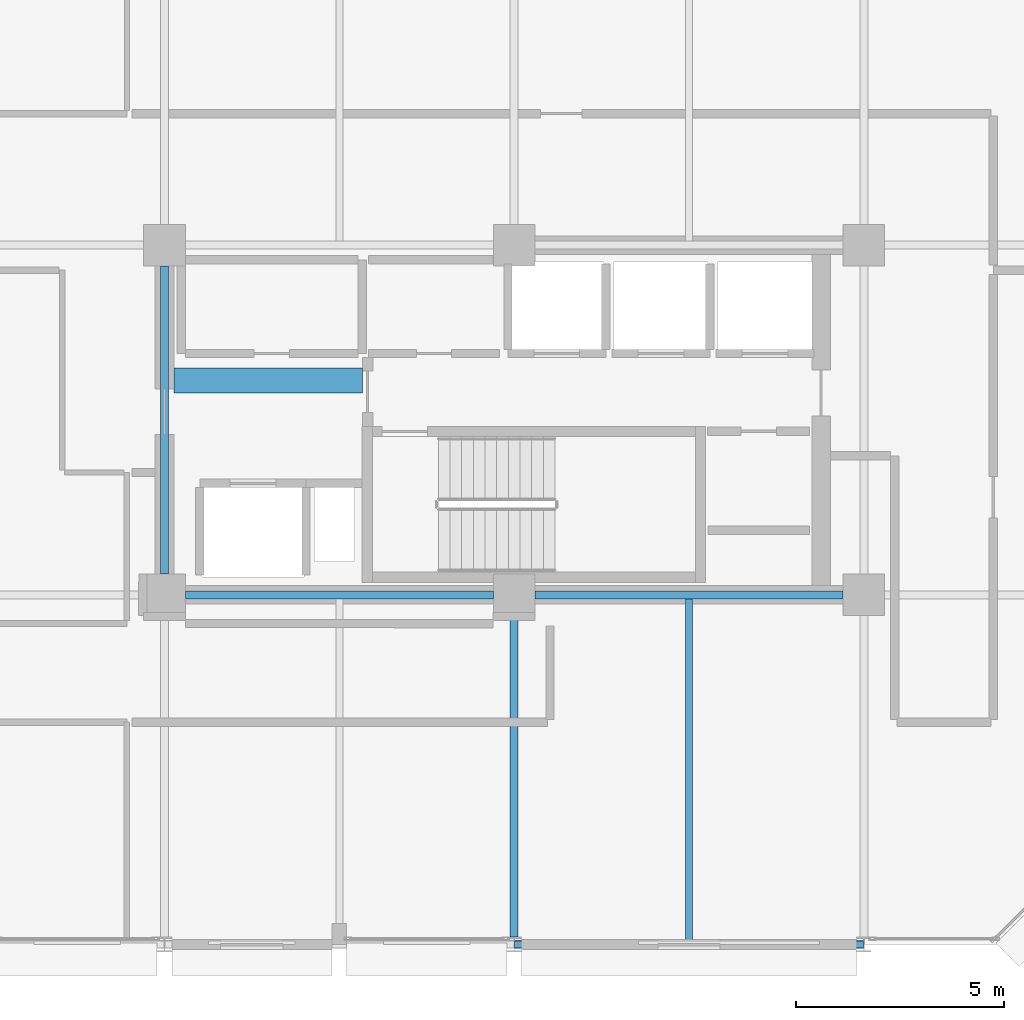
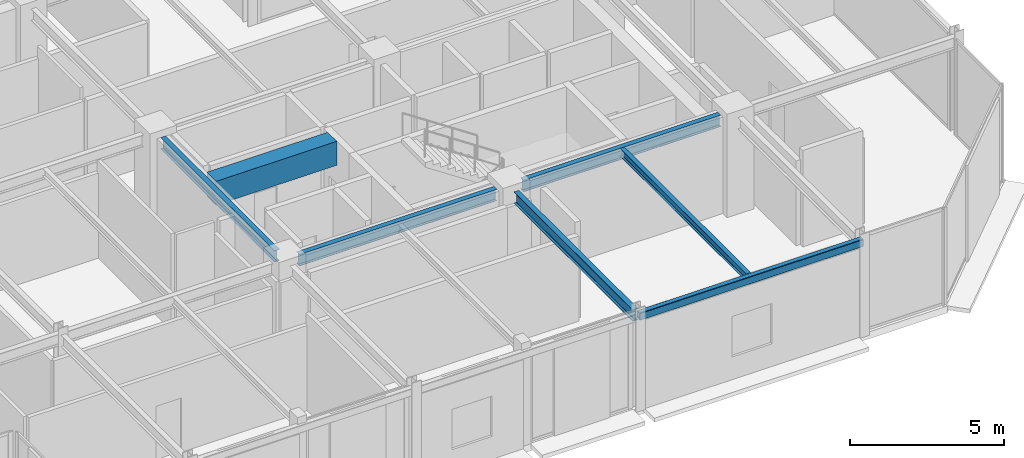
# One storey, part 7 of 26: 7 beams.
"""IFC4 building model written with IfcOpenShell, lengths in metres."""

from ifc_helpers import new_model, si_unit, direction, frame, origin, origin_2d, place, context, subcontext, project, spatial, rectangle, hollow_rectangle, i_section, extrude, material, material_profile, profile_set, type_object, element, save


model = new_model("IFC4")

# Units and contexts
model_context = context("Model", 3, precision=1e-05, world=origin(), true_north=direction((0.0, 1.0)))
body_context = subcontext(model_context, "Body", "Model", "MODEL_VIEW")
ifc_project = project(units=[si_unit("LENGTHUNIT", "METRE"), si_unit("AREAUNIT", "SQUARE_METRE"), si_unit("VOLUMEUNIT", "CUBIC_METRE"), si_unit("PLANEANGLEUNIT", "RADIAN"), si_unit("MASSUNIT", "GRAM", prefix="KILO")], contexts=[model_context])

# Site, building, storey
site_placement = place(None, origin())
site = spatial("IfcSite", under=ifc_project, at=site_placement, CompositionType="ELEMENT")
building_placement = place(site_placement, origin())
building = spatial("IfcBuilding", under=site, at=building_placement, Name="Nerrivon Quay Data Exchange", CompositionType="ELEMENT")
storey_placement = place(building_placement, frame((0.0, 0.0, 228.800048828125)))
storey = spatial("IfcBuildingStorey", under=building, at=storey_placement, Name="L54", CompositionType="ELEMENT", Elevation=228.800048828125)

# Beams
ifc_material_1 = material(Name="Concrete N50 (50 MPa)", Category="concrete")
ifc_material_profile_1 = material_profile(ifc_material_1, rectangle(XDim=0.60009765625, YDim=0.949951171875, at=origin_2d()), Name="RC-CB-600x950")
ifc_profile_set_1 = profile_set([ifc_material_profile_1], Name="Concrete N50 (50 MPa)")
beam_type_1 = type_object("IfcBeamType", Name="BM-CB2-600x950", PredefinedType="LINTEL", material=ifc_profile_set_1)
beam_1_placement = place(storey_placement, frame((17.02490234375, 13.550048828125, 3.349853515625), z_axis=(1.0, 0.0, 0.0), x_axis=(0.0, 1.0, 0.0)))
element("IfcBeam", 1, at=beam_1_placement, inside=storey, type_object=beam_type_1, Name="L54 East Core Coupling Beam", PredefinedType="LINTEL", context=body_context, shape_type="SweptSolid", body=[
    extrude(rectangle(XDim=0.60009765625, YDim=0.949951171875, at=origin_2d()), origin(), (0.0, 0.0, 1.0), 4.530029296875),
])
ifc_material_2 = material(Name="Steel Grade 350", Category="steel")
ifc_material_profile_2 = material_profile(ifc_material_2, i_section(OverallWidth=0.19091796875, OverallDepth=0.4599609375, WebThickness=0.010009765625, FlangeThickness=0.01611328125, FilletRadius=0.011474609375, at=origin_2d()), Name="460UB82.1")
ifc_profile_set_2 = profile_set([ifc_material_profile_2], Name="Steel Grade 350")
beam_type_2 = type_object("IfcBeamType", Name="BM-G5-460UB82", PredefinedType="BEAM", material=ifc_profile_set_2)
beam_2_placement = place(storey_placement, frame((17.300048828125, 8.39990234375, 3.594970703125), z_axis=(1.0, 0.0, 0.0), x_axis=(0.0, 1.0, 0.0)))
element("IfcBeam", 2, at=beam_2_placement, inside=storey, type_object=beam_type_2, Name="L54 EW Girder Y=8.4 (16.8..25.2)", PredefinedType="BEAM", context=body_context, shape_type="SweptSolid", body=[
    extrude(i_section(OverallWidth=0.19091796875, OverallDepth=0.4599609375, WebThickness=0.010009765625, FlangeThickness=0.01611328125, FilletRadius=0.011474609375, at=origin_2d()), origin(), (0.0, 0.0, 1.0), 7.39990234375),
])
beam_3_placement = place(storey_placement, frame((25.699951171875, 8.39990234375, 3.594970703125), z_axis=(1.0, 0.0, 0.0), x_axis=(0.0, 1.0, 0.0)))
element("IfcBeam", 3, at=beam_3_placement, inside=storey, type_object=beam_type_2, Name="L54 EW Girder Y=8.4 (25.2..33.6)", PredefinedType="BEAM", context=body_context, shape_type="SweptSolid", body=[
    extrude(i_section(OverallWidth=0.19091796875, OverallDepth=0.4599609375, WebThickness=0.010009765625, FlangeThickness=0.01611328125, FilletRadius=0.011474609375, at=origin_2d()), origin(), (0.0, 0.0, 1.0), 7.400146484375),
])
ifc_material_profile_3 = material_profile(ifc_material_2, i_section(OverallWidth=0.18994140625, OverallDepth=0.4541015625, WebThickness=0.008544921875, FlangeThickness=0.0126953125, FilletRadius=0.011474609375, at=origin_2d()), Name="460UB67.1")
ifc_profile_set_3 = profile_set([ifc_material_profile_3], Name="Steel Grade 350")
beam_type_3 = type_object("IfcBeamType", Name="BM-G6-460UB67", PredefinedType="BEAM", material=ifc_profile_set_3)
beam_4_placement = place(storey_placement, frame((16.800048828125, 8.89990234375, 3.597900390625), z_axis=(0.0, 1.0, 0.0), x_axis=(-1.0, 0.0, 0.0)))
element("IfcBeam", 4, at=beam_4_placement, inside=storey, type_object=beam_type_3, Name="L54 NS Girder X=16.8 (8.4..16.8)", PredefinedType="BEAM", context=body_context, shape_type="SweptSolid", body=[
    extrude(i_section(OverallWidth=0.18994140625, OverallDepth=0.4541015625, WebThickness=0.008544921875, FlangeThickness=0.0126953125, FilletRadius=0.011474609375, at=origin_2d()), origin(), (0.0, 0.0, 1.0), 7.400146484375),
])
beam_5_placement = place(storey_placement, frame((25.199951171875, 0.175048828125, 3.597900390625), z_axis=(0.0, 1.0, 0.0), x_axis=(-1.0, 0.0, 0.0)))
element("IfcBeam", 5, at=beam_5_placement, inside=storey, type_object=beam_type_3, Name="L54 NS Girder X=25.2 (0.0..8.4)", PredefinedType="BEAM", context=body_context, shape_type="SweptSolid", body=[
    extrude(i_section(OverallWidth=0.18994140625, OverallDepth=0.4541015625, WebThickness=0.008544921875, FlangeThickness=0.0126953125, FilletRadius=0.011474609375, at=origin_2d()), origin(), (0.0, 0.0, 1.0), 7.724853515625),
])
ifc_material_profile_4 = material_profile(ifc_material_2, i_section(OverallWidth=0.166015625, OverallDepth=0.306884765625, WebThickness=0.006591796875, FlangeThickness=0.01171875, FilletRadius=0.011474609375, at=origin_2d()), Name="310UB46.2")
ifc_profile_set_4 = profile_set([ifc_material_profile_4], Name="Steel Grade 350")
beam_type_4 = type_object("IfcBeamType", Name="BM-J5-310UB46", PredefinedType="JOIST", material=ifc_profile_set_4)
beam_6_placement = place(storey_placement, frame((29.39990234375, 0.10009765625, 3.67138671875), z_axis=(0.0, 1.0, 0.0), x_axis=(-1.0, 0.0, 0.0)))
element("IfcBeam", 6, at=beam_6_placement, inside=storey, type_object=beam_type_4, Name="L54 Secondary Joist X=29.4 (0.0..8.4)", PredefinedType="JOIST", context=body_context, shape_type="SweptSolid", body=[
    extrude(i_section(OverallWidth=0.166015625, OverallDepth=0.306884765625, WebThickness=0.006591796875, FlangeThickness=0.01171875, FilletRadius=0.011474609375, at=origin_2d()), origin(), (0.0, 0.0, 1.0), 8.204345703125),
])
ifc_material_3 = material(Name="Steel Grade C350L0 (350 MPa)", Category="steel")
ifc_material_profile_5 = material_profile(ifc_material_3, hollow_rectangle(XDim=0.199951171875, YDim=0.300048828125, WallThickness=0.012451171875, InnerFilletRadius=0.018798828125, OuterFilletRadius=0.03125, at=origin_2d()), Name="300x200x12.5RHS")
ifc_profile_set_5 = profile_set([ifc_material_profile_5], Name="Steel Grade C350L0 (350 MPa)")
beam_type_5 = type_object("IfcBeamType", Name="BM-SP3-300x200RHS", PredefinedType="SPANDREL", material=ifc_profile_set_5)
beam_7_placement = place(storey_placement, frame((25.2099609375, 0.0, 3.675048828125), z_axis=(1.0, 0.0, 0.0), x_axis=(0.0, 1.0, 0.0)))
element("IfcBeam", 7, at=beam_7_placement, inside=storey, type_object=beam_type_5, Name="L54 EW Girder Y=0.0 (25.2..33.6)", PredefinedType="SPANDREL", context=body_context, shape_type="SweptSolid", body=[
    extrude(hollow_rectangle(XDim=0.199951171875, YDim=0.300048828125, WallThickness=0.012451171875, InnerFilletRadius=0.018798828125, OuterFilletRadius=0.03125, at=origin_2d()), origin(), (0.0, 0.0, 1.0), 8.380126953125),
])

save(model, "model.ifc")
